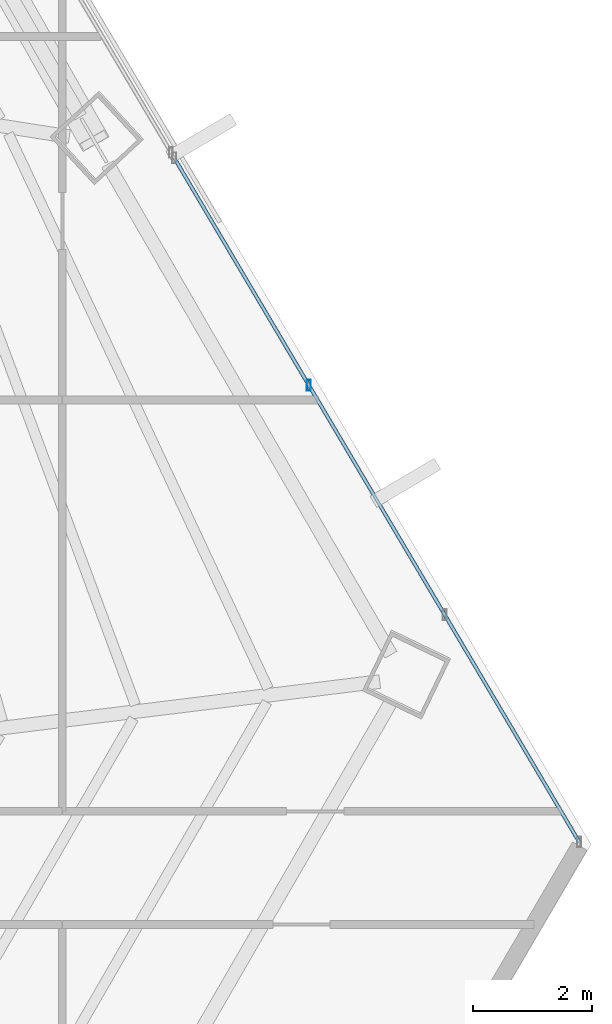
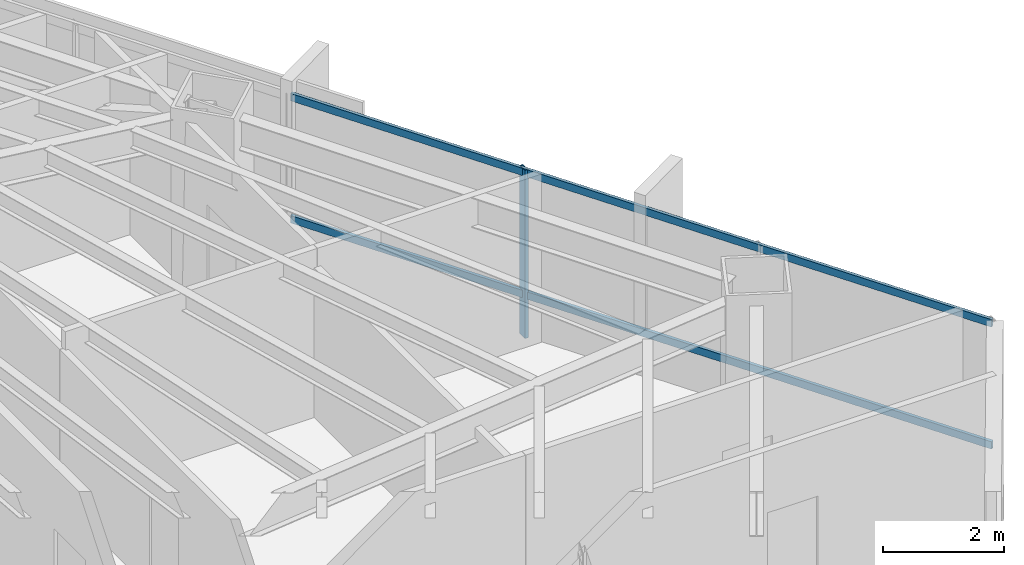
# One storey, part 23 of 35: 3 members, 1 element without a shape of its own.
"""IFC4 building model written with IfcOpenShell, lengths in metres."""

from ifc_helpers import new_model, si_unit, direction, frame, origin, origin_2d, place, context, subcontext, project, spatial, hollow_rectangle, extrude, source, transform, mapped, material, material_profile, profile_set, type_object, type_shapes, element, aggregate, save


model = new_model("IFC4")

# Units and contexts
model_context = context("Model", 3, precision=1e-05, world=origin(), true_north=direction((0.0, 1.0)))
body_context = subcontext(model_context, "Body", "Model", "MODEL_VIEW")
ifc_project = project(units=[si_unit("LENGTHUNIT", "METRE"), si_unit("AREAUNIT", "SQUARE_METRE"), si_unit("VOLUMEUNIT", "CUBIC_METRE"), si_unit("PLANEANGLEUNIT", "RADIAN"), si_unit("MASSUNIT", "GRAM", prefix="KILO")], contexts=[model_context])

# Site, building, storey
site_placement = place(None, origin())
site = spatial("IfcSite", under=ifc_project, at=site_placement, CompositionType="ELEMENT")
building_placement = place(site_placement, origin())
building = spatial("IfcBuilding", under=site, at=building_placement, Name="Caelisora Broadcast Tower", CompositionType="ELEMENT")
storey_placement = place(building_placement, frame((0.0, 0.0, 98.10009765625)))
storey = spatial("IfcBuildingStorey", under=building, at=storey_placement, Name="L25", CompositionType="ELEMENT", Elevation=98.10009765625)

# Curtain wall, members
ifc_material_1 = material(Name="Unitised Aluminium and Low-E Glass Curtain Wall", Category="glass")
curtain_wall_type = type_object("IfcCurtainWallType", Name="CW-Z2", PredefinedType="NOTDEFINED", material=ifc_material_1)
curtain_wall_placement = place(storey_placement, origin())
curtain_wall = element("IfcCurtainWall", 1, at=curtain_wall_placement, inside=storey, type_object=curtain_wall_type, Name="L25 curtain wall CW-Z2", PredefinedType="NOTDEFINED")
ifc_material_2 = material(Name="Aluminium 6063-T6 Anodised Terracotta Bronze", Category="aluminium")
ifc_material_profile_1 = material_profile(ifc_material_2, hollow_rectangle(XDim=0.06494140625, YDim=0.179931640625, WallThickness=0.00341796875, at=origin_2d()), Name="Aluminium 6063-T6 Anodised Terracotta Bronze")
ifc_profile_set_1 = profile_set([ifc_material_profile_1], Name="Aluminium 6063-T6 Anodised Terracotta Bronze")
member_type_1 = type_object("IfcMemberType", Name="CWM-02", PredefinedType="MULLION", material=ifc_profile_set_1)
shared_shape_1 = source(origin(), body_context, "Body", "SweptSolid", [
    extrude(hollow_rectangle(XDim=0.06494140625, YDim=0.179931640625, WallThickness=0.00341796875, at=origin_2d()), origin(), (0.0, 0.0, 1.0), 3.39990234375),
])
type_shapes(member_type_1, [shared_shape_1])
member_1_placement = place(storey_placement, frame((59.563720703125, 24.24951171875, 0.0), z_axis=(0.0, 0.0, 1.0), x_axis=(1.0, 0.0, 0.0)))
member_1 = element("IfcMember", 2, at=member_1_placement, type_object=member_type_1, Name="L25-CW-B03 mullion #1", PredefinedType="MULLION", context=body_context, shape_type="MappedRepresentation", body=[
    mapped(shared_shape_1, transform((0.0, 0.0, 0.0), scale=1.0)),
])
ifc_material_profile_2 = material_profile(ifc_material_2, hollow_rectangle(XDim=0.06005859375, YDim=0.14990234375, WallThickness=0.00341796875, at=origin_2d()), Name="Aluminium 6063-T6 Anodised Terracotta Bronze")
ifc_profile_set_2 = profile_set([ifc_material_profile_2], Name="Aluminium 6063-T6 Anodised Terracotta Bronze")
member_type_2 = type_object("IfcMemberType", Name="CWT-02", PredefinedType="USERDEFINED", material=ifc_profile_set_2)
shared_shape_2 = source(origin(), body_context, "Body", "SweptSolid", [
    extrude(hollow_rectangle(XDim=0.06005859375, YDim=0.14990234375, WallThickness=0.00341796875, at=origin_2d()), origin(), (0.0, 0.0, 1.0), 13.331787109375),
])
type_shapes(member_type_2, [shared_shape_2])
member_2_placement = place(storey_placement, frame((57.30859375, 28.059326171875, 0.849853515625), z_axis=(0.509388703903, -0.860536546775, 0.0), x_axis=(0.860536546775, 0.509388703903, 0.0)))
member_2 = element("IfcMember", 3, at=member_2_placement, type_object=member_type_2, Name="L25-CW-B03 transom #1", ObjectType="TRANSOM", PredefinedType="USERDEFINED", context=body_context, shape_type="MappedRepresentation", body=[
    mapped(shared_shape_2, transform((0.0, 0.0, 0.0), scale=1.0)),
])
member_3_placement = place(storey_placement, frame((57.30859375, 28.059326171875, 3.31982421875), z_axis=(0.509388703903, -0.860536546775, 0.0), x_axis=(0.860536546775, 0.509388703903, 0.0)))
member_3 = element("IfcMember", 4, at=member_3_placement, type_object=member_type_2, Name="L25-CW-B03 transom #2", ObjectType="TRANSOM", PredefinedType="USERDEFINED", context=body_context, shape_type="MappedRepresentation", body=[
    mapped(shared_shape_2, transform((0.0, 0.0, 0.0), scale=1.0)),
])
aggregate(curtain_wall, [member_1, member_2, member_3])

save(model, "model.ifc")
